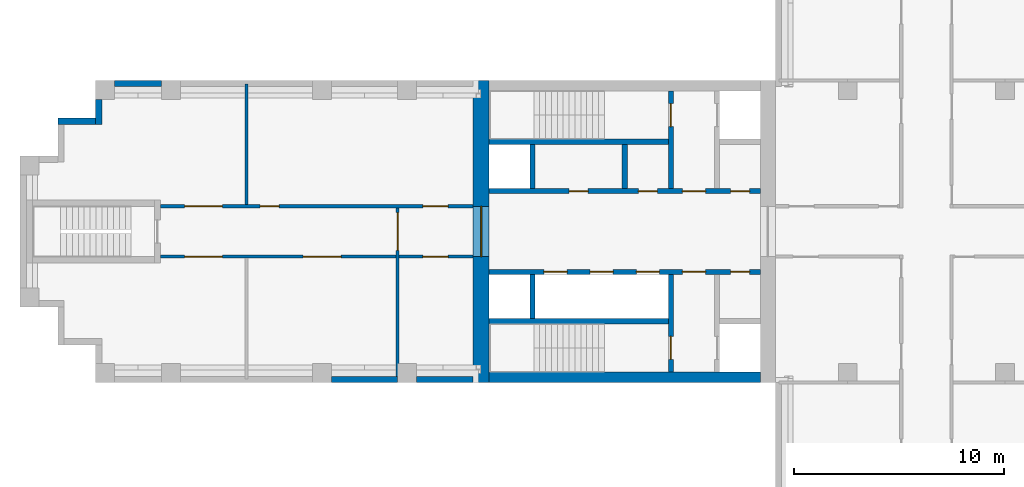
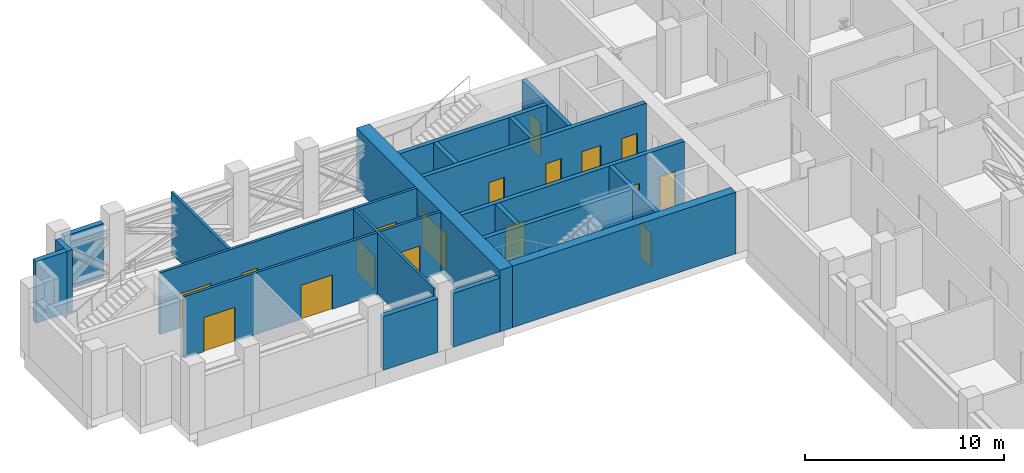
# One storey, part 5 of 10: 20 walls, 19 doors, 19 openings.
"""IFC4 building model written with IfcOpenShell, lengths in metres."""

from ifc_helpers import new_model, si_unit, direction, frame, frame_2d, origin, place, context, subcontext, project, spatial, rectangle, extrude, material, layer, layer_set, type_object, element, fill, save


model = new_model("IFC4")

# Units and contexts
model_context = context("Model", 3, precision=1e-05, world=origin(), true_north=direction((0.0, 1.0)))
body_context = subcontext(model_context, "Body", "Model", "MODEL_VIEW")
ifc_project = project(units=[si_unit("LENGTHUNIT", "METRE"), si_unit("AREAUNIT", "SQUARE_METRE"), si_unit("VOLUMEUNIT", "CUBIC_METRE"), si_unit("PLANEANGLEUNIT", "RADIAN"), si_unit("MASSUNIT", "GRAM", prefix="KILO")], contexts=[model_context])

# Site, building, storey
site_placement = place(None, origin())
site = spatial("IfcSite", under=ifc_project, at=site_placement, CompositionType="ELEMENT")
building_placement = place(site_placement, origin())
building = spatial("IfcBuilding", under=site, at=building_placement, Name="Fustian Cross Tower", CompositionType="ELEMENT")
storey_placement = place(building_placement, frame((0.0, 0.0, 62.699951171875)))
storey = spatial("IfcBuildingStorey", under=building, at=storey_placement, Name="L19", CompositionType="ELEMENT", Elevation=62.699951171875)

# Wall, openings, doors
ifc_material_1 = material(Name="Plasterboard on steel stud", Category="steel")
ifc_layer_1 = layer(ifc_material_1, 0.14990234375)
ifc_layer_set_1 = layer_set([ifc_layer_1], Name="Plasterboard on steel stud")
wall_type_1 = type_object("IfcWallType", Name="COMPARTMENT WALL 150 EI 60", PredefinedType="PARTITIONING", material=ifc_layer_set_1)
wall_1_placement = place(storey_placement, frame((-36.5, -1.199951171875, 0.0), z_axis=(0.0, 0.0, 1.0), x_axis=(1.0, 0.0, 0.0)))
wall_1 = element("IfcWall", 1, at=wall_1_placement, inside=storey, type_object=wall_type_1, Name="Partition 1", PredefinedType="PARTITIONING", context=body_context, shape_type="SweptSolid", body=[
    extrude(rectangle(XDim=14.89990234375, YDim=0.14990234375, at=frame_2d((7.449951171875, 0.0))), origin(), (0.0, 0.0, 1.0), 3.775146484375),
])
opening_1_placement = place(wall_1_placement, frame((12.5, 0.0, 0.0)))
opening_1 = element("IfcOpeningElement", 2, at=opening_1_placement, cuts=wall_1, Name="Opening D10037", PredefinedType="OPENING", context=body_context, shape_type="SweptSolid", body=[
    extrude(rectangle(XDim=1.199951171875, YDim=2.10009765625, at=frame_2d((0.60009765625, 1.050048828125))), frame((0.0, 0.0849609375, 0.0), z_axis=(0.0, -1.0, 0.0), x_axis=(1.0, 0.0, 0.0)), (0.0, 0.0, 1.0), 0.169921875),
])
opening_2_placement = place(wall_1_placement, frame((6.800048828125, 0.0, 0.0)))
opening_2 = element("IfcOpeningElement", 3, at=opening_2_placement, cuts=wall_1, Name="Opening D10038", PredefinedType="OPENING", context=body_context, shape_type="SweptSolid", body=[
    extrude(rectangle(XDim=1.800048828125, YDim=2.10009765625, at=frame_2d((0.89990234375, 1.050048828125))), frame((0.0, 0.0849609375, 0.0), z_axis=(0.0, -1.0, 0.0), x_axis=(1.0, 0.0, 0.0)), (0.0, 0.0, 1.0), 0.169921875),
])
opening_3_placement = place(wall_1_placement, frame((1.14990234375, 0.0, 0.0)))
opening_3 = element("IfcOpeningElement", 4, at=opening_3_placement, cuts=wall_1, Name="Opening D10039", PredefinedType="OPENING", context=body_context, shape_type="SweptSolid", body=[
    extrude(rectangle(XDim=1.800048828125, YDim=2.10009765625, at=frame_2d((0.89990234375, 1.050048828125))), frame((0.0, 0.0849609375, 0.0), z_axis=(0.0, -1.0, 0.0), x_axis=(1.0, 0.0, 0.0)), (0.0, 0.0, 1.0), 0.169921875),
])
ifc_material_2 = material(Name="Timber fire door set", Category="wood")
door_type_1 = type_object("IfcDoorType", Name="FIRE DOUBLE DOOR 1800 FD60S", OperationType="DOUBLE_DOOR_DOUBLE_SWING", PredefinedType="DOOR", material=ifc_material_2)
door_1_placement = place(opening_2_placement, origin())
door_1 = element("IfcDoor", 5, at=door_1_placement, inside=storey, type_object=door_type_1, Name="Door D10038", OperationType="DOUBLE_DOOR_DOUBLE_SWING", OverallHeight=2.10009765625, OverallWidth=1.800048828125, PredefinedType="DOOR", context=body_context, shape_type="SweptSolid", body=[
    extrude(rectangle(XDim=1.800048828125, YDim=2.10009765625, at=frame_2d((0.89990234375, 1.050048828125))), frame((0.0, 0.02490234375, 0.0), z_axis=(0.0, -1.0, 0.0), x_axis=(1.0, 0.0, 0.0)), (0.0, 0.0, 1.0), 0.050048828125),
])
fill(opening_2, door_1)
door_2_placement = place(opening_3_placement, origin())
door_2 = element("IfcDoor", 6, at=door_2_placement, inside=storey, type_object=door_type_1, Name="Door D10039", OperationType="DOUBLE_DOOR_DOUBLE_SWING", OverallHeight=2.10009765625, OverallWidth=1.800048828125, PredefinedType="DOOR", context=body_context, shape_type="SweptSolid", body=[
    extrude(rectangle(XDim=1.800048828125, YDim=2.10009765625, at=frame_2d((0.89990234375, 1.050048828125))), frame((0.0, 0.02490234375, 0.0), z_axis=(0.0, -1.0, 0.0), x_axis=(1.0, 0.0, 0.0)), (0.0, 0.0, 1.0), 0.050048828125),
])
fill(opening_3, door_2)
ifc_material_3 = material(Name="Timber fire door set", Category="wood")
door_type_2 = type_object("IfcDoorType", Name="FIRE SWING DOOR 1200 FD30S", OperationType="SINGLE_SWING_LEFT", PredefinedType="DOOR", material=ifc_material_3)
door_3_placement = place(opening_1_placement, frame((1.199951171875, 0.0, 0.0), z_axis=(0.0, 0.0, 1.0), x_axis=(-1.0, 0.0, 0.0)))
door_3 = element("IfcDoor", 7, at=door_3_placement, inside=storey, type_object=door_type_2, Name="Door D10037", OperationType="SINGLE_SWING_RIGHT", OverallHeight=2.10009765625, OverallWidth=1.199951171875, PredefinedType="DOOR", context=body_context, shape_type="SweptSolid", body=[
    extrude(rectangle(XDim=1.199951171875, YDim=2.10009765625, at=frame_2d((0.60009765625, 1.050048828125))), frame((0.0, 0.02490234375, 0.0), z_axis=(0.0, -1.0, 0.0), x_axis=(1.0, 0.0, 0.0)), (0.0, 0.0, 1.0), 0.050048828125),
])
fill(opening_1, door_3)

wall_2_placement = place(storey_placement, frame((-36.5, 1.199951171875, 0.0), z_axis=(0.0, 0.0, 1.0), x_axis=(1.0, 0.0, 0.0)))
wall_2 = element("IfcWall", 8, at=wall_2_placement, inside=storey, type_object=wall_type_1, Name="Partition 2", PredefinedType="PARTITIONING", context=body_context, shape_type="SweptSolid", body=[
    extrude(rectangle(XDim=14.89990234375, YDim=0.14990234375, at=frame_2d((7.449951171875, 0.0))), origin(), (0.0, 0.0, 1.0), 3.775146484375),
])
opening_4_placement = place(wall_2_placement, frame((4.75, 0.0, 0.0)))
opening_4 = element("IfcOpeningElement", 9, at=opening_4_placement, cuts=wall_2, Name="Opening D10040", PredefinedType="OPENING", context=body_context, shape_type="SweptSolid", body=[
    extrude(rectangle(XDim=0.89990234375, YDim=2.10009765625, at=frame_2d((0.449951171875, 1.050048828125))), frame((0.0, 0.0849609375, 0.0), z_axis=(0.0, -1.0, 0.0), x_axis=(1.0, 0.0, 0.0)), (0.0, 0.0, 1.0), 0.169921875),
])
opening_5_placement = place(wall_2_placement, frame((12.5, 0.0, 0.0)))
opening_5 = element("IfcOpeningElement", 10, at=opening_5_placement, cuts=wall_2, Name="Opening D10041", PredefinedType="OPENING", context=body_context, shape_type="SweptSolid", body=[
    extrude(rectangle(XDim=1.199951171875, YDim=2.10009765625, at=frame_2d((0.60009765625, 1.050048828125))), frame((0.0, 0.0849609375, 0.0), z_axis=(0.0, -1.0, 0.0), x_axis=(1.0, 0.0, 0.0)), (0.0, 0.0, 1.0), 0.169921875),
])
opening_6_placement = place(wall_2_placement, frame((1.14990234375, 0.0, 0.0)))
opening_6 = element("IfcOpeningElement", 11, at=opening_6_placement, cuts=wall_2, Name="Opening D10042", PredefinedType="OPENING", context=body_context, shape_type="SweptSolid", body=[
    extrude(rectangle(XDim=1.800048828125, YDim=2.10009765625, at=frame_2d((0.89990234375, 1.050048828125))), frame((0.0, 0.0849609375, 0.0), z_axis=(0.0, -1.0, 0.0), x_axis=(1.0, 0.0, 0.0)), (0.0, 0.0, 1.0), 0.169921875),
])
door_4_placement = place(opening_6_placement, frame((1.800048828125, 0.0, 0.0), z_axis=(0.0, 0.0, 1.0), x_axis=(-1.0, 0.0, 0.0)))
door_4 = element("IfcDoor", 12, at=door_4_placement, inside=storey, type_object=door_type_1, Name="Door D10042", OperationType="DOUBLE_DOOR_DOUBLE_SWING", OverallHeight=2.10009765625, OverallWidth=1.800048828125, PredefinedType="DOOR", context=body_context, shape_type="SweptSolid", body=[
    extrude(rectangle(XDim=1.800048828125, YDim=2.10009765625, at=frame_2d((0.89990234375, 1.050048828125))), frame((0.0, 0.02490234375, 0.0), z_axis=(0.0, -1.0, 0.0), x_axis=(1.0, 0.0, 0.0)), (0.0, 0.0, 1.0), 0.050048828125),
])
fill(opening_6, door_4)
ifc_material_4 = material(Name="Timber fire door set", Category="wood")
door_type_3 = type_object("IfcDoorType", Name="FIRE SWING DOOR 1200 FD60S", OperationType="SINGLE_SWING_LEFT", PredefinedType="DOOR", material=ifc_material_4)
door_5_placement = place(opening_5_placement, origin())
door_5 = element("IfcDoor", 13, at=door_5_placement, inside=storey, type_object=door_type_3, Name="Door D10041", OperationType="SINGLE_SWING_RIGHT", OverallHeight=2.10009765625, OverallWidth=1.199951171875, PredefinedType="DOOR", context=body_context, shape_type="SweptSolid", body=[
    extrude(rectangle(XDim=1.199951171875, YDim=2.10009765625, at=frame_2d((0.60009765625, 1.050048828125))), frame((0.0, 0.02490234375, 0.0), z_axis=(0.0, -1.0, 0.0), x_axis=(1.0, 0.0, 0.0)), (0.0, 0.0, 1.0), 0.050048828125),
])
fill(opening_5, door_5)
ifc_material_5 = material(Name="Timber fire door set", Category="wood")
door_type_4 = type_object("IfcDoorType", Name="FIRE SWING DOOR 900 FD30S", OperationType="SINGLE_SWING_LEFT", PredefinedType="DOOR", material=ifc_material_5)
door_6_placement = place(opening_4_placement, origin())
door_6 = element("IfcDoor", 14, at=door_6_placement, inside=storey, type_object=door_type_4, Name="Door D10040", OperationType="SINGLE_SWING_LEFT", OverallHeight=2.10009765625, OverallWidth=0.89990234375, PredefinedType="DOOR", context=body_context, shape_type="SweptSolid", body=[
    extrude(rectangle(XDim=0.89990234375, YDim=2.10009765625, at=frame_2d((0.449951171875, 1.050048828125))), frame((0.0, 0.02490234375, 0.0), z_axis=(0.0, -1.0, 0.0), x_axis=(1.0, 0.0, 0.0)), (0.0, 0.0, 1.0), 0.050048828125),
])
fill(opening_4, door_6)

# Wall
wall_3_placement = place(storey_placement, frame((-32.39990234375, 1.27490234375, 0.0), z_axis=(0.0, 0.0, 1.0), x_axis=(0.0, 1.0, 0.0)))
element("IfcWall", 15, at=wall_3_placement, inside=storey, type_object=wall_type_1, Name="Partition 4", PredefinedType="PARTITIONING", context=body_context, shape_type="SweptSolid", body=[
    extrude(rectangle(XDim=5.7451171875, YDim=0.14990234375, at=frame_2d((2.87255859375, 0.0))), origin(), (0.0, 0.0, 1.0), 3.775146484375),
])

# Wall, opening, door
wall_4_placement = place(storey_placement, frame((-25.199951171875, -6.89990234375, 0.0), z_axis=(0.0, 0.0, 1.0), x_axis=(0.0, 1.0, 0.0)))
wall_4 = element("IfcWall", 16, at=wall_4_placement, inside=storey, type_object=wall_type_1, Name="Partition 5", PredefinedType="PARTITIONING", context=body_context, shape_type="SweptSolid", body=[
    extrude(rectangle(XDim=8.02490234375, YDim=0.14990234375, at=frame_2d((4.012451171875, 0.0))), origin(), (0.0, 0.0, 1.0), 3.775146484375),
])
opening_7_placement = place(wall_4_placement, frame((6.0, 0.0, 0.0)))
opening_7 = element("IfcOpeningElement", 17, at=opening_7_placement, cuts=wall_4, Name="Opening D10036", PredefinedType="OPENING", context=body_context, shape_type="SweptSolid", body=[
    extrude(rectangle(XDim=1.800048828125, YDim=2.10009765625, at=frame_2d((0.89990234375, 1.050048828125))), frame((0.0, 0.0849609375, 0.0), z_axis=(0.0, -1.0, 0.0), x_axis=(1.0, 0.0, 0.0)), (0.0, 0.0, 1.0), 0.169921875),
])
ifc_material_6 = material(Name="Timber fire door set", Category="wood")
door_type_5 = type_object("IfcDoorType", Name="FIRE DOUBLE DOOR 1800 FD30S", OperationType="DOUBLE_DOOR_DOUBLE_SWING", PredefinedType="DOOR", material=ifc_material_6)
door_7_placement = place(opening_7_placement, frame((1.800048828125, 0.0, 0.0), z_axis=(0.0, 0.0, 1.0), x_axis=(-1.0, 0.0, 0.0)))
door_7 = element("IfcDoor", 18, at=door_7_placement, inside=storey, type_object=door_type_5, Name="Door D10036", OperationType="DOUBLE_DOOR_DOUBLE_SWING", OverallHeight=2.10009765625, OverallWidth=1.800048828125, PredefinedType="DOOR", context=body_context, shape_type="SweptSolid", body=[
    extrude(rectangle(XDim=1.800048828125, YDim=2.10009765625, at=frame_2d((0.89990234375, 1.050048828125))), frame((0.0, 0.02490234375, 0.0), z_axis=(0.0, -1.0, 0.0), x_axis=(1.0, 0.0, 0.0)), (0.0, 0.0, 1.0), 0.050048828125),
])
fill(opening_7, door_7)

ifc_material_7 = material(Name="Concrete C80/95", Category="concrete")
ifc_layer_2 = layer(ifc_material_7, 0.75)
ifc_layer_set_2 = layer_set([ifc_layer_2], Name="Concrete C80/95")
wall_type_2 = type_object("IfcWallType", Name="CORE END WALL 750 C80/95", PredefinedType="SHEAR", material=ifc_layer_set_2)
wall_5_placement = place(storey_placement, frame((-21.22509765625, -7.199951171875, 0.0), z_axis=(0.0, 0.0, 1.0), x_axis=(0.0, 1.0, 0.0)))
wall_5 = element("IfcWall", 19, at=wall_5_placement, inside=storey, type_object=wall_type_2, Name="Core end wall", PredefinedType="SHEAR", context=body_context, shape_type="SweptSolid", body=[
    extrude(rectangle(XDim=14.39990234375, YDim=0.75, at=frame_2d((7.199951171875, 0.0))), origin(), (0.0, 0.0, 1.0), 3.775146484375),
])
opening_8_placement = place(wall_5_placement, frame((6.0, 0.0, 0.0)))
opening_8 = element("IfcOpeningElement", 20, at=opening_8_placement, cuts=wall_5, Name="Opening CD-08-28", PredefinedType="OPENING", context=body_context, shape_type="SweptSolid", body=[
    extrude(rectangle(XDim=2.39990234375, YDim=2.199951171875, at=frame_2d((1.199951171875, 1.10009765625))), frame((0.0, 0.385009765625, 0.0), z_axis=(0.0, -1.0, 0.0), x_axis=(1.0, 0.0, 0.0)), (0.0, 0.0, 1.0), 0.77001953125),
])
ifc_material_8 = material(Name="Steel", Category="steel")
door_type_6 = type_object("IfcDoorType", Name="FIRE DOOR FD30S DOUBLE 2400X2200", OperationType="DOUBLE_DOOR_DOUBLE_SWING", PredefinedType="DOOR", material=ifc_material_8)
door_8_placement = place(opening_8_placement, frame((2.39990234375, 0.0, 0.0), z_axis=(0.0, 0.0, 1.0), x_axis=(-1.0, 0.0, 0.0)))
door_8 = element("IfcDoor", 21, at=door_8_placement, inside=storey, type_object=door_type_6, Name="Core door CD-08-28", OperationType="DOUBLE_DOOR_DOUBLE_SWING", OverallHeight=2.199951171875, OverallWidth=2.39990234375, PredefinedType="DOOR", context=body_context, shape_type="SweptSolid", body=[
    extrude(rectangle(XDim=2.39990234375, YDim=2.199951171875, at=frame_2d((1.199951171875, 1.10009765625))), frame((0.0, 0.02490234375, 0.0), z_axis=(0.0, -1.0, 0.0), x_axis=(1.0, 0.0, 0.0)), (0.0, 0.0, 1.0), 0.050048828125),
])
fill(opening_8, door_8)

# Wall
ifc_material_9 = material(Name="Concrete C80/95", Category="concrete")
ifc_layer_3 = layer(ifc_material_9, 0.5)
ifc_layer_set_3 = layer_set([ifc_layer_3], Name="Concrete C80/95")
wall_type_3 = type_object("IfcWallType", Name="CORE FACADE WALL 500 C80/95", PredefinedType="SHEAR", material=ifc_layer_set_3)
wall_6_placement = place(storey_placement, frame((-7.89990234375, -6.949951171875, 0.0), z_axis=(0.0, 0.0, 1.0), x_axis=(-1.0, 0.0, 0.0)))
element("IfcWall", 22, at=wall_6_placement, inside=storey, type_object=wall_type_3, Name="Core facade wall", PredefinedType="SHEAR", context=body_context, shape_type="SweptSolid", body=[
    extrude(rectangle(XDim=12.9501953125, YDim=0.5, at=frame_2d((6.47509765625, 0.0))), origin(), (0.0, 0.0, 1.0), 3.775146484375),
])

# Wall, openings, doors
ifc_material_10 = material(Name="Concrete C50/60", Category="concrete")
ifc_layer_4 = layer(ifc_material_10, 0.25)
ifc_layer_set_4 = layer_set([ifc_layer_4], Name="Concrete C50/60")
wall_type_4 = type_object("IfcWallType", Name="CORE LOBBY WALL 250 C50/60", PredefinedType="SHEAR", material=ifc_layer_set_4)
wall_7_placement = place(storey_placement, frame((-7.89990234375, 1.925048828125, 0.0), z_axis=(0.0, 0.0, 1.0), x_axis=(-1.0, 0.0, 0.0)))
wall_7 = element("IfcWall", 23, at=wall_7_placement, inside=storey, type_object=wall_type_4, Name="Core lobby wall", PredefinedType="SHEAR", context=body_context, shape_type="SweptSolid", body=[
    extrude(rectangle(XDim=12.9501953125, YDim=0.25, at=frame_2d((6.47509765625, 0.0))), origin(), (0.0, 0.0, 1.0), 3.775146484375),
])
opening_9_placement = place(wall_7_placement, frame((0.52490234375, 0.0, 0.0)))
opening_9 = element("IfcOpeningElement", 24, at=opening_9_placement, cuts=wall_7, Name="Opening CD-08-23", PredefinedType="OPENING", context=body_context, shape_type="SweptSolid", body=[
    extrude(rectangle(XDim=0.89990234375, YDim=2.10009765625, at=frame_2d((0.449951171875, 1.050048828125))), frame((0.0, 0.135009765625, 0.0), z_axis=(0.0, -1.0, 0.0), x_axis=(1.0, 0.0, 0.0)), (0.0, 0.0, 1.0), 0.27001953125),
])
opening_10_placement = place(wall_7_placement, frame((2.625, 0.0, 0.0)))
opening_10 = element("IfcOpeningElement", 25, at=opening_10_placement, cuts=wall_7, Name="Opening CD-08-25", PredefinedType="OPENING", context=body_context, shape_type="SweptSolid", body=[
    extrude(rectangle(XDim=1.10009765625, YDim=2.10009765625, at=frame_2d((0.550048828125, 1.050048828125))), frame((0.0, 0.135009765625, 0.0), z_axis=(0.0, -1.0, 0.0), x_axis=(1.0, 0.0, 0.0)), (0.0, 0.0, 1.0), 0.27001953125),
])
opening_11_placement = place(wall_7_placement, frame((4.925048828125, 0.0, 0.0)))
opening_11 = element("IfcOpeningElement", 26, at=opening_11_placement, cuts=wall_7, Name="Opening CD-08-29", PredefinedType="OPENING", context=body_context, shape_type="SweptSolid", body=[
    extrude(rectangle(XDim=0.89990234375, YDim=2.10009765625, at=frame_2d((0.449951171875, 1.050048828125))), frame((0.0, 0.135009765625, 0.0), z_axis=(0.0, -1.0, 0.0), x_axis=(1.0, 0.0, 0.0)), (0.0, 0.0, 1.0), 0.27001953125),
])
opening_12_placement = place(wall_7_placement, frame((8.22509765625, 0.0, 0.0)))
opening_12 = element("IfcOpeningElement", 27, at=opening_12_placement, cuts=wall_7, Name="Opening CD-08-30", PredefinedType="OPENING", context=body_context, shape_type="SweptSolid", body=[
    extrude(rectangle(XDim=0.89990234375, YDim=2.10009765625, at=frame_2d((0.449951171875, 1.050048828125))), frame((0.0, 0.135009765625, 0.0), z_axis=(0.0, -1.0, 0.0), x_axis=(1.0, 0.0, 0.0)), (0.0, 0.0, 1.0), 0.27001953125),
])
ifc_material_11 = material(Name="Steel", Category="steel")
door_type_7 = type_object("IfcDoorType", Name="FIRE DOOR FD30S 900X2100", OperationType="SINGLE_SWING_LEFT", PredefinedType="DOOR", material=ifc_material_11)
door_9_placement = place(opening_11_placement, frame((0.89990234375, 0.0, 0.0), z_axis=(0.0, 0.0, 1.0), x_axis=(-1.0, 0.0, 0.0)))
door_9 = element("IfcDoor", 28, at=door_9_placement, inside=storey, type_object=door_type_7, Name="Core door CD-08-29", OperationType="SINGLE_SWING_RIGHT", OverallHeight=2.10009765625, OverallWidth=0.89990234375, PredefinedType="DOOR", context=body_context, shape_type="SweptSolid", body=[
    extrude(rectangle(XDim=0.89990234375, YDim=2.10009765625, at=frame_2d((0.449951171875, 1.050048828125))), frame((0.0, 0.02490234375, 0.0), z_axis=(0.0, -1.0, 0.0), x_axis=(1.0, 0.0, 0.0)), (0.0, 0.0, 1.0), 0.050048828125),
])
fill(opening_11, door_9)
door_10_placement = place(opening_12_placement, frame((0.89990234375, 0.0, 0.0), z_axis=(0.0, 0.0, 1.0), x_axis=(-1.0, 0.0, 0.0)))
door_10 = element("IfcDoor", 29, at=door_10_placement, inside=storey, type_object=door_type_7, Name="Core door CD-08-30", OperationType="SINGLE_SWING_LEFT", OverallHeight=2.10009765625, OverallWidth=0.89990234375, PredefinedType="DOOR", context=body_context, shape_type="SweptSolid", body=[
    extrude(rectangle(XDim=0.89990234375, YDim=2.10009765625, at=frame_2d((0.449951171875, 1.050048828125))), frame((0.0, 0.02490234375, 0.0), z_axis=(0.0, -1.0, 0.0), x_axis=(1.0, 0.0, 0.0)), (0.0, 0.0, 1.0), 0.050048828125),
])
fill(opening_12, door_10)
ifc_material_12 = material(Name="Steel", Category="steel")
door_type_8 = type_object("IfcDoorType", Name="FIRE DOOR FD60S 1100X2100", OperationType="SINGLE_SWING_LEFT", PredefinedType="DOOR", material=ifc_material_12)
door_11_placement = place(opening_10_placement, frame((1.10009765625, 0.0, 0.0), z_axis=(0.0, 0.0, 1.0), x_axis=(-1.0, 0.0, 0.0)))
door_11 = element("IfcDoor", 30, at=door_11_placement, inside=storey, type_object=door_type_8, Name="Core door CD-08-25", OperationType="SINGLE_SWING_RIGHT", OverallHeight=2.10009765625, OverallWidth=1.10009765625, PredefinedType="DOOR", context=body_context, shape_type="SweptSolid", body=[
    extrude(rectangle(XDim=1.10009765625, YDim=2.10009765625, at=frame_2d((0.550048828125, 1.050048828125))), frame((0.0, 0.02490234375, 0.0), z_axis=(0.0, -1.0, 0.0), x_axis=(1.0, 0.0, 0.0)), (0.0, 0.0, 1.0), 0.050048828125),
])
fill(opening_10, door_11)
ifc_material_13 = material(Name="Steel", Category="steel")
door_type_9 = type_object("IfcDoorType", Name="FIRE DOOR FD60S 900X2100", OperationType="SINGLE_SWING_LEFT", PredefinedType="DOOR", material=ifc_material_13)
door_12_placement = place(opening_9_placement, frame((0.89990234375, 0.0, 0.0), z_axis=(0.0, 0.0, 1.0), x_axis=(-1.0, 0.0, 0.0)))
door_12 = element("IfcDoor", 31, at=door_12_placement, inside=storey, type_object=door_type_9, Name="Core door CD-08-23", OperationType="SINGLE_SWING_RIGHT", OverallHeight=2.10009765625, OverallWidth=0.89990234375, PredefinedType="DOOR", context=body_context, shape_type="SweptSolid", body=[
    extrude(rectangle(XDim=0.89990234375, YDim=2.10009765625, at=frame_2d((0.449951171875, 1.050048828125))), frame((0.0, 0.02490234375, 0.0), z_axis=(0.0, -1.0, 0.0), x_axis=(1.0, 0.0, 0.0)), (0.0, 0.0, 1.0), 0.050048828125),
])
fill(opening_9, door_12)

wall_8_placement = place(storey_placement, frame((-7.89990234375, -1.925048828125, 0.0), z_axis=(0.0, 0.0, 1.0), x_axis=(-1.0, 0.0, 0.0)))
wall_8 = element("IfcWall", 32, at=wall_8_placement, inside=storey, type_object=wall_type_4, Name="Core lobby wall", PredefinedType="SHEAR", context=body_context, shape_type="SweptSolid", body=[
    extrude(rectangle(XDim=12.9501953125, YDim=0.25, at=frame_2d((6.47509765625, 0.0))), origin(), (0.0, 0.0, 1.0), 3.775146484375),
])
opening_13_placement = place(wall_8_placement, frame((4.824951171875, 0.0, 0.0)))
opening_13 = element("IfcOpeningElement", 33, at=opening_13_placement, cuts=wall_8, Name="Opening LD", PredefinedType="OPENING", context=body_context, shape_type="SweptSolid", body=[
    extrude(rectangle(XDim=1.10009765625, YDim=2.10009765625, at=frame_2d((0.550048828125, 1.050048828125))), frame((0.0, 0.135009765625, 0.0), z_axis=(0.0, -1.0, 0.0), x_axis=(1.0, 0.0, 0.0)), (0.0, 0.0, 1.0), 0.27001953125),
])
opening_14_placement = place(wall_8_placement, frame((7.02490234375, 0.0, 0.0)))
opening_14 = element("IfcOpeningElement", 34, at=opening_14_placement, cuts=wall_8, Name="Opening LD", PredefinedType="OPENING", context=body_context, shape_type="SweptSolid", body=[
    extrude(rectangle(XDim=1.10009765625, YDim=2.10009765625, at=frame_2d((0.550048828125, 1.050048828125))), frame((0.0, 0.135009765625, 0.0), z_axis=(0.0, -1.0, 0.0), x_axis=(1.0, 0.0, 0.0)), (0.0, 0.0, 1.0), 0.27001953125),
])
opening_15_placement = place(wall_8_placement, frame((9.22509765625, 0.0, 0.0)))
opening_15 = element("IfcOpeningElement", 35, at=opening_15_placement, cuts=wall_8, Name="Opening LD", PredefinedType="OPENING", context=body_context, shape_type="SweptSolid", body=[
    extrude(rectangle(XDim=1.10009765625, YDim=2.10009765625, at=frame_2d((0.550048828125, 1.050048828125))), frame((0.0, 0.135009765625, 0.0), z_axis=(0.0, -1.0, 0.0), x_axis=(1.0, 0.0, 0.0)), (0.0, 0.0, 1.0), 0.27001953125),
])
opening_16_placement = place(wall_8_placement, frame((0.52490234375, 0.0, 0.0)))
opening_16 = element("IfcOpeningElement", 36, at=opening_16_placement, cuts=wall_8, Name="Opening CD-08-24", PredefinedType="OPENING", context=body_context, shape_type="SweptSolid", body=[
    extrude(rectangle(XDim=0.89990234375, YDim=2.10009765625, at=frame_2d((0.449951171875, 1.050048828125))), frame((0.0, 0.135009765625, 0.0), z_axis=(0.0, -1.0, 0.0), x_axis=(1.0, 0.0, 0.0)), (0.0, 0.0, 1.0), 0.27001953125),
])
opening_17_placement = place(wall_8_placement, frame((2.625, 0.0, 0.0)))
opening_17 = element("IfcOpeningElement", 37, at=opening_17_placement, cuts=wall_8, Name="Opening CD-08-26", PredefinedType="OPENING", context=body_context, shape_type="SweptSolid", body=[
    extrude(rectangle(XDim=1.10009765625, YDim=2.10009765625, at=frame_2d((0.550048828125, 1.050048828125))), frame((0.0, 0.135009765625, 0.0), z_axis=(0.0, -1.0, 0.0), x_axis=(1.0, 0.0, 0.0)), (0.0, 0.0, 1.0), 0.27001953125),
])
ifc_material_14 = material(Name="Steel", Category="steel")
door_type_10 = type_object("IfcDoorType", Name="FIRE DOOR FD30S 1100X2100", OperationType="SINGLE_SWING_LEFT", PredefinedType="DOOR", material=ifc_material_14)
door_13_placement = place(opening_17_placement, frame((1.10009765625, 0.0, 0.0), z_axis=(0.0, 0.0, 1.0), x_axis=(-1.0, 0.0, 0.0)))
door_13 = element("IfcDoor", 38, at=door_13_placement, inside=storey, type_object=door_type_10, Name="Core door CD-08-26", OperationType="SINGLE_SWING_RIGHT", OverallHeight=2.10009765625, OverallWidth=1.10009765625, PredefinedType="DOOR", context=body_context, shape_type="SweptSolid", body=[
    extrude(rectangle(XDim=1.10009765625, YDim=2.10009765625, at=frame_2d((0.550048828125, 1.050048828125))), frame((0.0, 0.02490234375, 0.0), z_axis=(0.0, -1.0, 0.0), x_axis=(1.0, 0.0, 0.0)), (0.0, 0.0, 1.0), 0.050048828125),
])
fill(opening_17, door_13)
door_14_placement = place(opening_16_placement, origin())
door_14 = element("IfcDoor", 39, at=door_14_placement, inside=storey, type_object=door_type_7, Name="Core door CD-08-24", OperationType="SINGLE_SWING_LEFT", OverallHeight=2.10009765625, OverallWidth=0.89990234375, PredefinedType="DOOR", context=body_context, shape_type="SweptSolid", body=[
    extrude(rectangle(XDim=0.89990234375, YDim=2.10009765625, at=frame_2d((0.449951171875, 1.050048828125))), frame((0.0, 0.02490234375, 0.0), z_axis=(0.0, -1.0, 0.0), x_axis=(1.0, 0.0, 0.0)), (0.0, 0.0, 1.0), 0.050048828125),
])
fill(opening_16, door_14)
ifc_material_15 = material(Name="Stainless steel", Category="steel")
door_type_11 = type_object("IfcDoorType", Name="LIFT LANDING DOOR 1100X2100", OperationType="SLIDING_TO_LEFT", PredefinedType="DOOR", material=ifc_material_15)
door_15_placement = place(opening_13_placement, origin())
door_15 = element("IfcDoor", 40, at=door_15_placement, inside=storey, type_object=door_type_11, Name="Landing door LR1W", OperationType="SLIDING_TO_LEFT", OverallHeight=2.10009765625, OverallWidth=1.10009765625, PredefinedType="DOOR", context=body_context, shape_type="SweptSolid", body=[
    extrude(rectangle(XDim=1.10009765625, YDim=2.10009765625, at=frame_2d((0.550048828125, 1.050048828125))), frame((0.0, 0.02490234375, 0.0), z_axis=(0.0, -1.0, 0.0), x_axis=(1.0, 0.0, 0.0)), (0.0, 0.0, 1.0), 0.050048828125),
])
fill(opening_13, door_15)
door_16_placement = place(opening_14_placement, origin())
door_16 = element("IfcDoor", 41, at=door_16_placement, inside=storey, type_object=door_type_11, Name="Landing door LR2W", OperationType="SLIDING_TO_LEFT", OverallHeight=2.10009765625, OverallWidth=1.10009765625, PredefinedType="DOOR", context=body_context, shape_type="SweptSolid", body=[
    extrude(rectangle(XDim=1.10009765625, YDim=2.10009765625, at=frame_2d((0.550048828125, 1.050048828125))), frame((0.0, 0.02490234375, 0.0), z_axis=(0.0, -1.0, 0.0), x_axis=(1.0, 0.0, 0.0)), (0.0, 0.0, 1.0), 0.050048828125),
])
fill(opening_14, door_16)
door_17_placement = place(opening_15_placement, origin())
door_17 = element("IfcDoor", 42, at=door_17_placement, inside=storey, type_object=door_type_11, Name="Landing door LR3W", OperationType="SLIDING_TO_LEFT", OverallHeight=2.10009765625, OverallWidth=1.10009765625, PredefinedType="DOOR", context=body_context, shape_type="SweptSolid", body=[
    extrude(rectangle(XDim=1.10009765625, YDim=2.10009765625, at=frame_2d((0.550048828125, 1.050048828125))), frame((0.0, 0.02490234375, 0.0), z_axis=(0.0, -1.0, 0.0), x_axis=(1.0, 0.0, 0.0)), (0.0, 0.0, 1.0), 0.050048828125),
])
fill(opening_15, door_17)

# Wall
ifc_material_16 = material(Name="Concrete C50/60", Category="concrete")
ifc_layer_5 = layer(ifc_material_16, 0.25)
ifc_layer_set_5 = layer_set([ifc_layer_5], Name="Concrete C50/60")
wall_type_5 = type_object("IfcWallType", Name="CORE SHAFT WALL 250 C50/60", PredefinedType="SHEAR", material=ifc_layer_set_5)
wall_9_placement = place(storey_placement, frame((-12.300048828125, 4.27490234375, 0.0), z_axis=(0.0, 0.0, 1.0), x_axis=(-1.0, 0.0, 0.0)))
element("IfcWall", 43, at=wall_9_placement, inside=storey, type_object=wall_type_5, Name="Core shaft wall", PredefinedType="SHEAR", context=body_context, shape_type="SweptSolid", body=[
    extrude(rectangle(XDim=8.550048828125, YDim=0.25, at=frame_2d((4.27490234375, 0.0))), origin(), (0.0, 0.0, 1.0), 3.775146484375),
])

# Wall, opening, door
wall_10_placement = place(storey_placement, frame((-12.175048828125, 2.050048828125, 0.0), z_axis=(0.0, 0.0, 1.0), x_axis=(0.0, 1.0, 0.0)))
wall_10 = element("IfcWall", 44, at=wall_10_placement, inside=storey, type_object=wall_type_5, Name="Core shaft wall", PredefinedType="SHEAR", context=body_context, shape_type="SweptSolid", body=[
    extrude(rectangle(XDim=4.64990234375, YDim=0.25, at=frame_2d((2.324951171875, 0.0))), origin(), (0.0, 0.0, 1.0), 3.775146484375),
])
opening_18_placement = place(wall_10_placement, frame((2.949951171875, 0.0, 0.0)))
opening_18 = element("IfcOpeningElement", 45, at=opening_18_placement, cuts=wall_10, Name="Opening CD-08-21", PredefinedType="OPENING", context=body_context, shape_type="SweptSolid", body=[
    extrude(rectangle(XDim=1.10009765625, YDim=2.10009765625, at=frame_2d((0.550048828125, 1.050048828125))), frame((0.0, 0.135009765625, 0.0), z_axis=(0.0, -1.0, 0.0), x_axis=(1.0, 0.0, 0.0)), (0.0, 0.0, 1.0), 0.27001953125),
])
door_18_placement = place(opening_18_placement, origin())
door_18 = element("IfcDoor", 46, at=door_18_placement, inside=storey, type_object=door_type_8, Name="Core door CD-08-21", OperationType="SINGLE_SWING_LEFT", OverallHeight=2.10009765625, OverallWidth=1.10009765625, PredefinedType="DOOR", context=body_context, shape_type="SweptSolid", body=[
    extrude(rectangle(XDim=1.10009765625, YDim=2.10009765625, at=frame_2d((0.550048828125, 1.050048828125))), frame((0.0, 0.02490234375, 0.0), z_axis=(0.0, -1.0, 0.0), x_axis=(1.0, 0.0, 0.0)), (0.0, 0.0, 1.0), 0.050048828125),
])
fill(opening_18, door_18)

# Wall
wall_11_placement = place(storey_placement, frame((-12.300048828125, -4.27490234375, 0.0), z_axis=(0.0, 0.0, 1.0), x_axis=(-1.0, 0.0, 0.0)))
element("IfcWall", 47, at=wall_11_placement, inside=storey, type_object=wall_type_5, Name="Core shaft wall", PredefinedType="SHEAR", context=body_context, shape_type="SweptSolid", body=[
    extrude(rectangle(XDim=8.550048828125, YDim=0.25, at=frame_2d((4.27490234375, 0.0))), origin(), (0.0, 0.0, 1.0), 3.775146484375),
])

# Wall, opening, door
wall_12_placement = place(storey_placement, frame((-12.175048828125, -2.050048828125, 0.0), z_axis=(0.0, 0.0, 1.0), x_axis=(0.0, -1.0, 0.0)))
wall_12 = element("IfcWall", 48, at=wall_12_placement, inside=storey, type_object=wall_type_5, Name="Core shaft wall", PredefinedType="SHEAR", context=body_context, shape_type="SweptSolid", body=[
    extrude(rectangle(XDim=4.64990234375, YDim=0.25, at=frame_2d((2.324951171875, 0.0))), origin(), (0.0, 0.0, 1.0), 3.775146484375),
])
opening_19_placement = place(wall_12_placement, frame((2.949951171875, 0.0, 0.0)))
opening_19 = element("IfcOpeningElement", 49, at=opening_19_placement, cuts=wall_12, Name="Opening CD-08-22", PredefinedType="OPENING", context=body_context, shape_type="SweptSolid", body=[
    extrude(rectangle(XDim=1.10009765625, YDim=2.10009765625, at=frame_2d((0.550048828125, 1.050048828125))), frame((0.0, 0.135009765625, 0.0), z_axis=(0.0, -1.0, 0.0), x_axis=(1.0, 0.0, 0.0)), (0.0, 0.0, 1.0), 0.27001953125),
])
door_19_placement = place(opening_19_placement, frame((1.10009765625, 0.0, 0.0), z_axis=(0.0, 0.0, 1.0), x_axis=(-1.0, 0.0, 0.0)))
door_19 = element("IfcDoor", 50, at=door_19_placement, inside=storey, type_object=door_type_8, Name="Core door CD-08-22", OperationType="SINGLE_SWING_RIGHT", OverallHeight=2.10009765625, OverallWidth=1.10009765625, PredefinedType="DOOR", context=body_context, shape_type="SweptSolid", body=[
    extrude(rectangle(XDim=1.10009765625, YDim=2.10009765625, at=frame_2d((0.550048828125, 1.050048828125))), frame((0.0, 0.02490234375, 0.0), z_axis=(0.0, -1.0, 0.0), x_axis=(1.0, 0.0, 0.0)), (0.0, 0.0, 1.0), 0.050048828125),
])
fill(opening_19, door_19)

# Walls
ifc_material_17 = material(Name="Concrete C40/50", Category="concrete")
ifc_layer_6 = layer(ifc_material_17, 0.25)
ifc_layer_set_6 = layer_set([ifc_layer_6], Name="Concrete C40/50")
wall_type_6 = type_object("IfcWallType", Name="SHAFT PARTITION WALL 250 C40/50", PredefinedType="PARTITIONING", material=ifc_layer_set_6)
for number, where, z_axis, x_axis, name in (
    (51, (-14.375, 2.050048828125, 0.0), (0.0, 0.0, 1.0), (0.0, 1.0, 0.0), "Core shaft wall"),
    (52, (-18.77490234375, 2.050048828125, 0.0), (0.0, 0.0, 1.0), (0.0, 1.0, 0.0), "Core shaft wall"),
    (53, (-18.77490234375, -2.050048828125, 0.0), (0.0, 0.0, 1.0), (0.0, -1.0, 0.0), "Core shaft wall"),
):
    element("IfcWall", number, at=place(storey_placement, frame(where, z_axis=z_axis, x_axis=x_axis)), inside=storey, type_object=wall_type_6, Name=name, PredefinedType="PARTITIONING", context=body_context, shape_type="SweptSolid", body=[
        extrude(rectangle(XDim=2.099853515625, YDim=0.25, at=frame_2d((1.0498046875, 0.0))), origin(), (0.0, 0.0, 1.0), 3.775146484375),
    ])
ifc_material_18 = material(Name="Dark aluminium louvres on insulated backing wall", Category="aluminium")
ifc_layer_7 = layer(ifc_material_18, 0.300048828125)
ifc_layer_set_7 = layer_set([ifc_layer_7], Name="Dark aluminium louvres on insulated backing wall")
wall_type_7 = type_object("IfcWallType", Name="XW2 LOUVRED PLANT WALL 300", PredefinedType="SOLIDWALL", material=ifc_layer_set_7)
wall_13_placement = place(storey_placement, frame((-36.449951171875, 7.050048828125, 0.0), z_axis=(0.0, 0.0, 1.0), x_axis=(-1.0, 0.0, 0.0)))
element("IfcWall", 54, at=wall_13_placement, inside=storey, type_object=wall_type_7, Name="Plant louvre wall", PredefinedType="SOLIDWALL", context=body_context, shape_type="SweptSolid", body=[
    extrude(rectangle(XDim=2.25, YDim=0.300048828125, at=frame_2d((1.125, 0.0))), origin(), (0.0, 0.0, 1.0), 3.300048828125),
])
wall_14_placement = place(storey_placement, frame((-39.449951171875, 6.300048828125, 0.0), z_axis=(0.0, 0.0, 1.0), x_axis=(0.0, -1.0, 0.0)))
element("IfcWall", 55, at=wall_14_placement, inside=storey, type_object=wall_type_7, Name="Plant louvre wall", PredefinedType="SOLIDWALL", context=body_context, shape_type="SweptSolid", body=[
    extrude(rectangle(XDim=1.199951171875, YDim=0.300048828125, at=frame_2d((0.60009765625, 0.0))), origin(), (0.0, 0.0, 1.0), 3.775146484375),
])
wall_15_placement = place(storey_placement, frame((-39.60009765625, 5.25, 0.0), z_axis=(0.0, 0.0, 1.0), x_axis=(-1.0, 0.0, 0.0)))
element("IfcWall", 56, at=wall_15_placement, inside=storey, type_object=wall_type_7, Name="Plant louvre wall", PredefinedType="SOLIDWALL", context=body_context, shape_type="SweptSolid", body=[
    extrude(rectangle(XDim=1.7998046875, YDim=0.300048828125, at=frame_2d((0.89990234375, 0.0))), origin(), (0.0, 0.0, 1.0), 3.775146484375),
])
wall_16_placement = place(storey_placement, frame((-28.35009765625, -7.050048828125, 0.0), z_axis=(0.0, 0.0, 1.0), x_axis=(1.0, 0.0, 0.0)))
element("IfcWall", 57, at=wall_16_placement, inside=storey, type_object=wall_type_7, Name="Plant louvre wall", PredefinedType="SOLIDWALL", context=body_context, shape_type="SweptSolid", body=[
    extrude(rectangle(XDim=3.150146484375, YDim=0.300048828125, at=frame_2d((1.5751953125, 0.0))), origin(), (0.0, 0.0, 1.0), 3.300048828125),
])
wall_17_placement = place(storey_placement, frame((-24.300048828125, -7.050048828125, 0.0), z_axis=(0.0, 0.0, 1.0), x_axis=(1.0, 0.0, 0.0)))
element("IfcWall", 58, at=wall_17_placement, inside=storey, type_object=wall_type_7, Name="Plant louvre wall", PredefinedType="SOLIDWALL", context=body_context, shape_type="SweptSolid", body=[
    extrude(rectangle(XDim=2.699951171875, YDim=0.300048828125, at=frame_2d((1.35009765625, 0.0))), origin(), (0.0, 0.0, 1.0), 3.300048828125),
])

save(model, "model.ifc")
